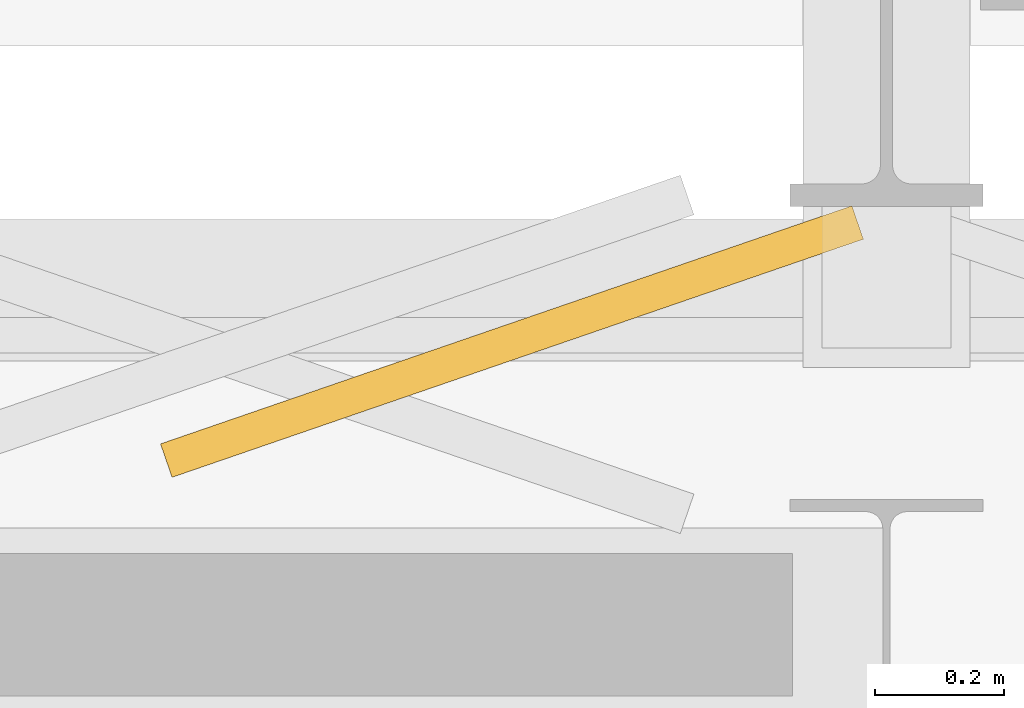
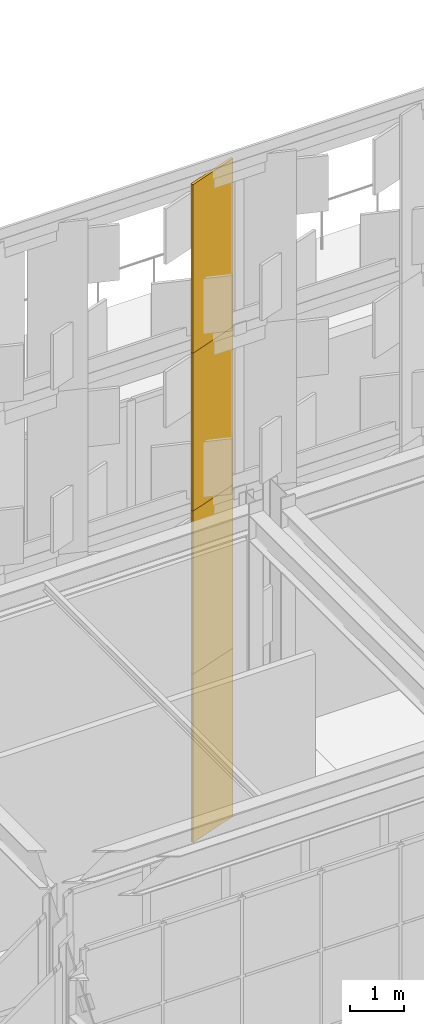
# One storey, part 183 of 210: 4 coverings.
"""IFC4 building model written with IfcOpenShell, lengths in metres."""

from ifc_helpers import new_model, si_unit, direction, frame, origin, origin_2d, place, context, subcontext, project, spatial, rectangle, extrude, material, layer, layer_set, type_object, element, save


model = new_model("IFC4")

# Units and contexts
model_context = context("Model", 3, precision=1e-05, world=origin(), true_north=direction((0.0, 1.0)))
body_context = subcontext(model_context, "Body", "Model", "MODEL_VIEW")
ifc_project = project(units=[si_unit("LENGTHUNIT", "METRE"), si_unit("AREAUNIT", "SQUARE_METRE"), si_unit("VOLUMEUNIT", "CUBIC_METRE"), si_unit("PLANEANGLEUNIT", "RADIAN"), si_unit("MASSUNIT", "GRAM", prefix="KILO")], contexts=[model_context])

# Site, building, storey
site_placement = place(None, origin())
site = spatial("IfcSite", under=ifc_project, at=site_placement, CompositionType="ELEMENT")
building_placement = place(site_placement, origin())
building = spatial("IfcBuilding", under=site, at=building_placement, Name="Kaldris Quays Convention Centre", CompositionType="ELEMENT")
storey_placement = place(building_placement, frame((0.0, 0.0, 6.0)))
storey = spatial("IfcBuildingStorey", under=building, at=storey_placement, Name="L01", CompositionType="ELEMENT", Elevation=6.0)

# Coverings
ifc_material = material(Name="Alabaster white star-pierced anodized aluminium panel", Category="aluminium")
ifc_layer = layer(ifc_material, 0.044921875)
ifc_layer_set = layer_set([ifc_layer], Name="Alabaster white star-pierced anodized aluminium panel")
covering_type = type_object("IfcCoveringType", Name="STAR PIERCED WHITE FOLDED SCREEN CL01", PredefinedType="CLADDING", material=ifc_layer_set)
for number, where, z_axis, x_axis, name in (
    (1, (82.417724609375, 55.340087890625, -2.2099609375), (0.0, 0.0, 1.0), (0.945518575599, 0.325568154457, 0.0), "V1S Folded White Screen Stile 1393"),
    (2, (82.417724609375, 55.340087890625, 1.48974609375), (0.0, 0.0, 1.0), (0.945518575599, 0.325568154457, 0.0), "V1S Folded White Screen Stile 1399"),
    (3, (82.417724609375, 55.340087890625, 5.18994140625), (0.0, 0.0, 1.0), (0.945518575599, 0.325568154457, 0.0), "V1S Folded White Screen Stile 1405"),
    (4, (82.417724609375, 55.340087890625, 8.89013671875), (0.0, 0.0, 1.0), (0.945518575599, 0.325568154457, 0.0), "V1S Folded White Screen Stile 1411"),
):
    element("IfcCovering", number, at=place(storey_placement, frame(where, z_axis=z_axis, x_axis=x_axis)), inside=storey, type_object=covering_type, Name=name, PredefinedType="CLADDING", context=body_context, shape_type="SweptSolid", body=[
        extrude(rectangle(XDim=1.136962890625, YDim=0.054931640625, at=origin_2d()), origin(), (0.0, 0.0, 1.0), 3.820068359375),
    ])

save(model, "model.ifc")
